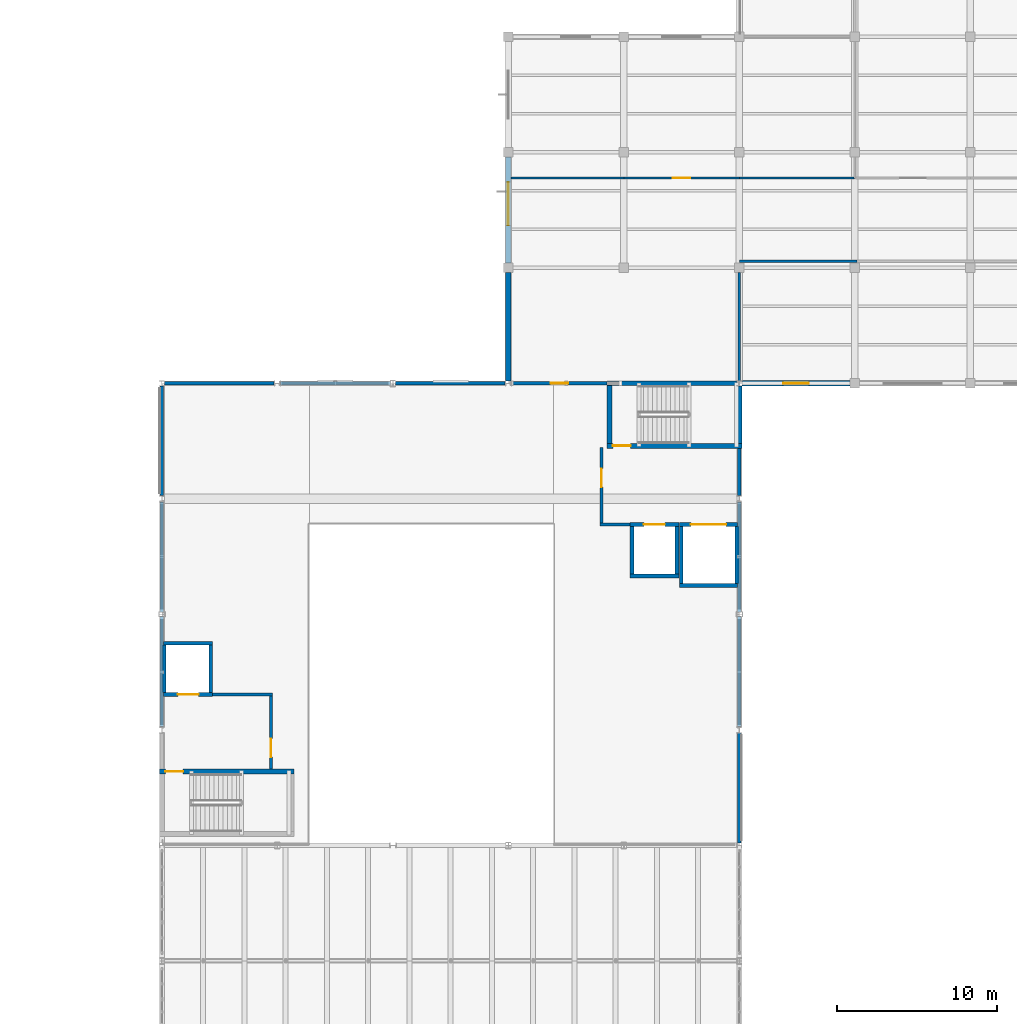
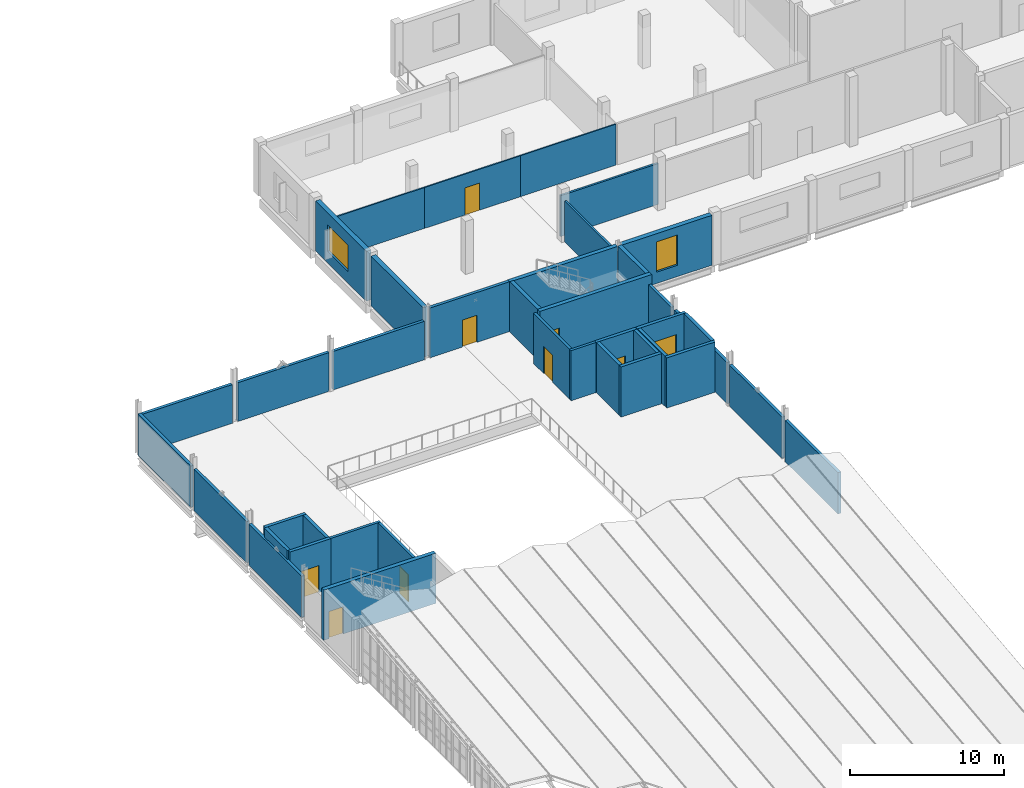
# One storey, part 41 of 48: 40 walls, 9 doors, 2 windows, 11 openings.
"""IFC4 building model written with IfcOpenShell, lengths in metres."""

import ifcopenshell
import ifcopenshell.guid

model = None  # the IFC model being written
_history = None  # IfcOwnerHistory: only IFC2X3 demands one
_inside = {}  # id of a spatial element -> (the spatial element, [elements in it])
_under = {}  # id of a project, library or spatial element -> (it, [spatial elements below it])
_declared = {}  # id of a project -> (the project, [libraries it declares])
_typed = {}  # id of a type object -> (the type object, [elements of that type])
_made_of = {}  # id of a material, layer set ... -> (it, [elements and type objects made of it])


def new_model(schema):
    """Start an empty IFC model of exactly this schema.

    Asked for "IFC4X3", IfcOpenShell would pick the latest addendum, in which some entities
    have other attributes; the version numbers below select the first issue.
    IFC2X3 requires an IfcOwnerHistory on every rooted entity: one is made here for all.
    """
    global model, _history
    if schema == "IFC4X3":
        model = ifcopenshell.file(schema_version=(4, 3, 0, 0))
    else:
        model = ifcopenshell.file(schema=schema)
    _inside.clear()
    _under.clear()
    _declared.clear()
    _typed.clear()
    _made_of.clear()
    _history = None
    if model.schema == "IFC2X3":
        org = make("IfcOrganization", Name="unknown")
        user = make(
            "IfcPersonAndOrganization",
            ThePerson=make("IfcPerson", FamilyName="unknown"),
            TheOrganization=org,
        )
        app = make(
            "IfcApplication",
            ApplicationDeveloper=org,
            Version="unknown",
            ApplicationFullName="unknown",
            ApplicationIdentifier="unknown",
        )
        _history = make(
            "IfcOwnerHistory",
            OwningUser=user,
            OwningApplication=app,
            ChangeAction="ADDED",
            CreationDate=0,
        )
    return model


def make(cls, **values):
    """One entity of the class cls with the attributes given. An attribute that is None is left unset."""
    return model.create_entity(
        cls, **{name: value for name, value in values.items() if value is not None}
    )


def rooted(cls, **values):
    """An entity with a GlobalId (a new one), such as an element, a storey or a relation."""
    return make(cls, GlobalId=ifcopenshell.guid.new(), OwnerHistory=_history, **values)


def si_unit(unit_type, name, prefix=None):
    """IfcSIUnit, for example si_unit("LENGTHUNIT", "METRE", prefix="MILLI")."""
    return make("IfcSIUnit", UnitType=unit_type, Prefix=prefix, Name=name)


def assignment(units):
    """IfcUnitAssignment: the units of a project."""
    return None if units is None else make("IfcUnitAssignment", Units=units)


def point(xyz):
    """IfcCartesianPoint."""
    return None if xyz is None else make("IfcCartesianPoint", Coordinates=xyz)


def direction(xyz):
    """IfcDirection."""
    return None if xyz is None else make("IfcDirection", DirectionRatios=xyz)


def frame(location, z_axis=None, x_axis=None):
    """IfcAxis2Placement3D, a coordinate frame: its origin and axes. An axis left out is left unset."""
    return make(
        "IfcAxis2Placement3D",
        Location=point(location),
        Axis=direction(z_axis),
        RefDirection=direction(x_axis),
    )


def frame_2d(location, x_axis=None):
    """IfcAxis2Placement2D, a coordinate frame in the plane: its origin and x axis."""
    return make(
        "IfcAxis2Placement2D", Location=point(location), RefDirection=direction(x_axis)
    )


def origin():
    """The frame at (0, 0, 0) with its axes left unset."""
    return frame((0.0, 0.0, 0.0))


def place(relative_to, where):
    """IfcLocalPlacement: puts the frame where relative to a parent placement (None: the world)."""
    return make(
        "IfcLocalPlacement", PlacementRelTo=relative_to, RelativePlacement=where
    )


def context(
    kind, dimensions, precision=None, world=None, true_north=None, identifier=None
):
    """IfcGeometricRepresentationContext, for example the 3D "Model" context."""
    return make(
        "IfcGeometricRepresentationContext",
        ContextIdentifier=identifier,
        ContextType=kind,
        CoordinateSpaceDimension=dimensions,
        Precision=precision,
        WorldCoordinateSystem=world,
        TrueNorth=true_north,
    )


def subcontext(parent, identifier, kind, view, scale=None):
    """IfcGeometricRepresentationSubContext, for example "Body" below "Model"."""
    return make(
        "IfcGeometricRepresentationSubContext",
        ContextIdentifier=identifier,
        ContextType=kind,
        ParentContext=parent,
        TargetScale=scale,
        TargetView=view,
    )


def project(units=None, contexts=None):
    """IfcProject with its units and contexts."""
    return rooted(
        "IfcProject",
        Name="project",
        RepresentationContexts=contexts,
        UnitsInContext=assignment(units),
    )


def spatial(cls, under=None, at=None, **own):
    """A site, building, storey or space (cls), placed at a placement, below another one or the project."""
    s = rooted(cls, ObjectPlacement=at, **own)
    if under is not None:
        _under.setdefault(under.id(), (under, []))[1].append(s)
    return s


def profile(cls, at=None, kind="AREA", **sizes):
    """A parametric profile (cls). Its sizes go by their IFC names, for example OverallWidth=200.0."""
    return make(cls, ProfileType=kind, Position=at, **sizes)


def rectangle(**sizes):
    """IfcRectangleProfileDef."""
    return profile("IfcRectangleProfileDef", **sizes)


def extrude(swept, where, along, depth):
    """IfcExtrudedAreaSolid: the profile swept, set in the frame where, extruded along a direction by depth."""
    return make(
        "IfcExtrudedAreaSolid",
        SweptArea=swept,
        Position=where,
        ExtrudedDirection=direction(along),
        Depth=depth,
    )


def shape(context_of_items, identifier, shape_type, items):
    """IfcShapeRepresentation: the items that make up one representation, for example the "Body"."""
    return make(
        "IfcShapeRepresentation",
        ContextOfItems=context_of_items,
        RepresentationIdentifier=identifier,
        RepresentationType=shape_type,
        Items=items,
    )


def material(Name=None, Category=None):
    """IfcMaterial."""
    return make("IfcMaterial", Name=Name, Category=Category)


def layer(
    of_material, thickness, ventilated=None, Name=None, Category=None, Priority=None
):
    """IfcMaterialLayer: one layer of a wall or slab, of a material (None: an air gap)."""
    return make(
        "IfcMaterialLayer",
        Material=of_material,
        LayerThickness=thickness,
        IsVentilated=ventilated,
        Name=Name,
        Category=Category,
        Priority=Priority,
    )


def layer_set(layers, Name=None):
    """IfcMaterialLayerSet."""
    return make("IfcMaterialLayerSet", MaterialLayers=layers, LayerSetName=Name)


def made_of(thing, what):
    """Note that an element or type object is made of a material, layer set ...; save() writes the relation."""
    if what is not None:
        _made_of.setdefault(what.id(), (what, []))[1].append(thing)
    return thing


def type_object(cls, material=None, **own):
    """A type object (cls), such as IfcWallType, which elements share."""
    return made_of(rooted(cls, **own), material)


def element(
    cls,
    number,
    at=None,
    inside=None,
    cuts=None,
    type_object=None,
    material=None,
    context=None,
    identifier="Body",
    shape_type=None,
    held_by="IfcProductDefinitionShape",
    body=None,
    shapes=None,
    **own,
):
    """One element of the class cls, such as IfcWall. Its Tag is "e" and its number.

    at: its placement. inside: the storey or other place that contains it. cuts: it is an
    opening in that element (IfcRelVoidsElement). A single representation is given by context,
    identifier, shape_type and body (its items); several are given by shapes. held_by: the class
    of the entity that holds the representations. save() writes the other relations.
    """
    e = rooted(cls, Tag="e%d" % number, ObjectPlacement=at, **own)
    if body is not None:
        shapes = [shape(context, identifier, shape_type, body)]
    if shapes is not None:
        e.Representation = make(held_by, Representations=shapes)
    if inside is not None:
        _inside.setdefault(inside.id(), (inside, []))[1].append(e)
    if cuts is not None:
        rooted(
            "IfcRelVoidsElement", RelatingBuildingElement=cuts, RelatedOpeningElement=e
        )
    if type_object is not None:
        _typed.setdefault(type_object.id(), (type_object, []))[1].append(e)
    return made_of(e, material)


def fill(opening, filler):
    """IfcRelFillsElement: the door or window that sits in an opening."""
    return rooted(
        "IfcRelFillsElement",
        RelatingOpeningElement=opening,
        RelatedBuildingElement=filler,
    )


def aggregate(whole, parts):
    """IfcRelAggregates: a whole, such as a stair, and the parts it consists of."""
    return rooted("IfcRelAggregates", RelatingObject=whole, RelatedObjects=parts)


def save(model, path):
    """Write the relations noted so far, then the file.

    IfcRelAggregates (storeys below a building ...), IfcRelContainedInSpatialStructure (elements
    in a storey), IfcRelDefinesByType, IfcRelAssociatesMaterial and IfcRelDeclares: one each for
    every whole, place, type object, material and project.
    """
    for whole, parts in _under.values():
        aggregate(whole, parts)
    for where, things in _inside.values():
        rooted(
            "IfcRelContainedInSpatialStructure",
            RelatedElements=things,
            RelatingStructure=where,
        )
    for kind, things in _typed.values():
        rooted("IfcRelDefinesByType", RelatedObjects=things, RelatingType=kind)
    for what, things in _made_of.values():
        rooted("IfcRelAssociatesMaterial", RelatedObjects=things, RelatingMaterial=what)
    for by, libraries in _declared.values():
        rooted("IfcRelDeclares", RelatingContext=by, RelatedDefinitions=libraries)
    model.write(path)


model = new_model("IFC4")

# Units and contexts
model_context = context("Model", 3, precision=1e-05, world=origin(), true_north=direction((0.0, 1.0)))
body_context = subcontext(model_context, "Body", "Model", "MODEL_VIEW")
ifc_project = project(units=[si_unit("LENGTHUNIT", "METRE"), si_unit("AREAUNIT", "SQUARE_METRE"), si_unit("VOLUMEUNIT", "CUBIC_METRE"), si_unit("PLANEANGLEUNIT", "RADIAN"), si_unit("MASSUNIT", "GRAM", prefix="KILO"), si_unit("THERMODYNAMICTEMPERATUREUNIT", "KELVIN"), si_unit("POWERUNIT", "WATT")], contexts=[model_context])

# Site, building, storey
site_placement = place(None, origin())
site = spatial("IfcSite", under=ifc_project, at=site_placement, CompositionType="ELEMENT")
building_placement = place(site_placement, origin())
building = spatial("IfcBuilding", under=site, at=building_placement, Name="Kaldorven Railside Theatre", CompositionType="ELEMENT")
storey_placement = place(building_placement, frame((0.0, 0.0, 18.89990234375)))
storey = spatial("IfcBuildingStorey", under=building, at=storey_placement, Name="L04", CompositionType="ELEMENT", Elevation=18.89990234375)

# Wall
ifc_material_1 = material(Name="Precast concrete C40/50", Category="concrete")
ifc_layer_1 = layer(ifc_material_1, 0.35009765625, Name="Precast concrete C40/50")
ifc_layer_set_1 = layer_set([ifc_layer_1], Name="Precast concrete C40/50")
wall_type_1 = type_object("IfcWallType", Name="WL-EW03", PredefinedType="SOLIDWALL", material=ifc_layer_set_1)
wall_1_placement = place(storey_placement, frame((108.800048828125, 112.949951171875, 0.0), z_axis=(0.0, 0.0, 1.0), x_axis=(0.0, 1.0, 0.0)))
element("IfcWall", 1, at=wall_1_placement, inside=storey, type_object=wall_type_1, Name="V6L L04 Exterior Wall EW-0361", PredefinedType="SOLIDWALL", context=body_context, shape_type="SweptSolid", body=[
    extrude(rectangle(XDim=6.75, YDim=0.35009765625, at=frame_2d((3.375, 0.0))), origin(), (0.0, 0.0, 1.0), 3.9501953125),
])

# Wall, opening, window
wall_2_placement = place(storey_placement, frame((108.800048828125, 120.300048828125, 0.0), z_axis=(0.0, 0.0, 1.0), x_axis=(0.0, 1.0, 0.0)))
wall_2 = element("IfcWall", 2, at=wall_2_placement, inside=storey, type_object=wall_type_1, Name="V6L L04 Exterior Wall EW-0362", PredefinedType="SOLIDWALL", context=body_context, shape_type="SweptSolid", body=[
    extrude(rectangle(XDim=6.599853515625, YDim=0.35009765625, at=frame_2d((3.2998046875, 0.0))), origin(), (0.0, 0.0, 1.0), 3.9501953125),
])
opening_1_placement = place(wall_2_placement, frame((2.35009765625, 0.0, 0.89990234375)))
opening_1 = element("IfcOpeningElement", 3, at=opening_1_placement, cuts=wall_2, Name="Opening WN-062", PredefinedType="OPENING", context=body_context, shape_type="SweptSolid", body=[
    extrude(rectangle(XDim=2.699951171875, YDim=2.10009765625, at=frame_2d((1.35009765625, 1.050048828125))), frame((0.0, 0.18505859375, 0.0), z_axis=(0.0, -1.0, 0.0), x_axis=(1.0, 0.0, 0.0)), (0.0, 0.0, 1.0), 0.3701171875),
])
ifc_material_2 = material(Name="Low-E laminated solar-control glass", Category="glass")
window_type_1 = type_object("IfcWindowType", Name="WN-EW12", PartitioningType="SINGLE_PANEL", PredefinedType="WINDOW", material=ifc_material_2)
window_1_placement = place(opening_1_placement, origin())
window_1 = element("IfcWindow", 4, at=window_1_placement, inside=storey, type_object=window_type_1, Name="Shaded Acoustic Exterior Window WN-062", OverallHeight=2.10009765625, OverallWidth=2.699951171875, PartitioningType="SINGLE_PANEL", PredefinedType="WINDOW", context=body_context, shape_type="SweptSolid", body=[
    extrude(rectangle(XDim=2.699951171875, YDim=2.10009765625, at=frame_2d((1.35009765625, 1.050048828125))), frame((0.0, 0.030029296875, 0.0), z_axis=(0.0, -1.0, 0.0), x_axis=(1.0, 0.0, 0.0)), (0.0, 0.0, 1.0), 0.06005859375),
])
fill(opening_1, window_1)

wall_3_placement = place(storey_placement, frame((130.10009765625, 112.800048828125, 0.0), z_axis=(0.0, 0.0, 1.0), x_axis=(-1.0, 0.0, 0.0)))
wall_3 = element("IfcWall", 5, at=wall_3_placement, inside=storey, type_object=wall_type_1, Name="V6 L04 Exterior Wall EW-0451", PredefinedType="SOLIDWALL", context=body_context, shape_type="SweptSolid", body=[
    extrude(rectangle(XDim=6.74560546875, YDim=0.35009765625, at=frame_2d((3.372802734375, 0.0))), origin(), (0.0, 0.0, 1.0), 3.9501953125),
])
opening_2_placement = place(wall_3_placement, frame((2.57275390625, 0.0, 0.89990234375)))
opening_2 = element("IfcOpeningElement", 6, at=opening_2_placement, cuts=wall_3, Name="Opening WN-118", PredefinedType="OPENING", context=body_context, shape_type="SweptSolid", body=[
    extrude(rectangle(XDim=1.60009765625, YDim=2.39990234375, at=frame_2d((0.800048828125, 1.199951171875))), frame((0.0, 0.18505859375, 0.0), z_axis=(0.0, -1.0, 0.0), x_axis=(1.0, 0.0, 0.0)), (0.0, 0.0, 1.0), 0.3701171875),
])
window_type_2 = type_object("IfcWindowType", Name="WN-EW18", PartitioningType="SINGLE_PANEL", PredefinedType="WINDOW", material=ifc_material_2)
window_2_placement = place(opening_2_placement, origin())
window_2 = element("IfcWindow", 7, at=window_2_placement, inside=storey, type_object=window_type_2, Name="Shaded Acoustic Exterior Window WN-118", OverallHeight=2.39990234375, OverallWidth=1.60009765625, PartitioningType="SINGLE_PANEL", PredefinedType="WINDOW", context=body_context, shape_type="SweptSolid", body=[
    extrude(rectangle(XDim=1.60009765625, YDim=2.39990234375, at=frame_2d((0.800048828125, 1.199951171875))), frame((0.0, 0.030029296875, 0.0), z_axis=(0.0, -1.0, 0.0), x_axis=(1.0, 0.0, 0.0)), (0.0, 0.0, 1.0), 0.06005859375),
])
fill(opening_2, window_2)

# Walls
ifc_layer_2 = layer(ifc_material_1, 0.219970703125, Name="Precast concrete C40/50")
ifc_layer_set_2 = layer_set([ifc_layer_2], Name="Precast concrete C40/50")
wall_type_2 = type_object("IfcWallType", Name="WL-EW07", PredefinedType="SOLIDWALL", material=ifc_layer_set_2)
wall_4_placement = place(storey_placement, frame((87.199951171875, 91.39990234375, 0.0), z_axis=(0.0, 0.0, 1.0), x_axis=(0.0, 1.0, 0.0)))
element("IfcWall", 8, at=wall_4_placement, inside=storey, type_object=wall_type_2, Name="V2 L04 Exterior Wall EW-0318", PredefinedType="SOLIDWALL", context=body_context, shape_type="SweptSolid", body=[
    extrude(rectangle(XDim=6.85009765625, YDim=0.219970703125, at=frame_2d((3.425048828125, 0.0))), origin(), (0.0, 0.0, 1.0), 3.275146484375),
])
wall_5_placement = place(storey_placement, frame((87.199951171875, 98.550048828125, 0.0), z_axis=(0.0, 0.0, 1.0), x_axis=(0.0, 1.0, 0.0)))
element("IfcWall", 9, at=wall_5_placement, inside=storey, type_object=wall_type_2, Name="V2 L04 Exterior Wall EW-0319", PredefinedType="SOLIDWALL", context=body_context, shape_type="SweptSolid", body=[
    extrude(rectangle(XDim=6.849853515625, YDim=0.219970703125, at=frame_2d((3.4248046875, 0.0))), origin(), (0.0, 0.0, 1.0), 3.275146484375),
])
wall_6_placement = place(storey_placement, frame((87.199951171875, 105.800048828125, 0.0), z_axis=(0.0, 0.0, 1.0), x_axis=(0.0, 1.0, 0.0)))
element("IfcWall", 10, at=wall_6_placement, inside=storey, type_object=wall_type_2, Name="V2 L04 Exterior Wall EW-0320", PredefinedType="SOLIDWALL", context=body_context, shape_type="SweptSolid", body=[
    extrude(rectangle(XDim=6.839599609375, YDim=0.219970703125, at=frame_2d((3.419921875, 0.0))), origin(), (0.0, 0.0, 1.0), 3.275146484375),
])
wall_7_placement = place(storey_placement, frame((87.3544921875, 112.800048828125, 0.0), z_axis=(0.0, 0.0, 1.0), x_axis=(1.0, 0.0, 0.0)))
element("IfcWall", 11, at=wall_7_placement, inside=storey, type_object=wall_type_2, Name="V2 L04 Exterior Wall EW-0321", PredefinedType="SOLIDWALL", context=body_context, shape_type="SweptSolid", body=[
    extrude(rectangle(XDim=6.845458984375, YDim=0.219970703125, at=frame_2d((3.4228515625, 0.0))), origin(), (0.0, 0.0, 1.0), 3.0751953125),
])
wall_8_placement = place(storey_placement, frame((94.60009765625, 112.800048828125, 0.0), z_axis=(0.0, 0.0, 1.0), x_axis=(1.0, 0.0, 0.0)))
element("IfcWall", 12, at=wall_8_placement, inside=storey, type_object=wall_type_2, Name="V2 L04 Exterior Wall EW-0322", PredefinedType="SOLIDWALL", context=body_context, shape_type="SweptSolid", body=[
    extrude(rectangle(XDim=6.849853515625, YDim=0.219970703125, at=frame_2d((3.4248046875, 0.0))), origin(), (0.0, 0.0, 1.0), 3.0751953125),
])
wall_9_placement = place(storey_placement, frame((101.75, 112.800048828125, 0.0), z_axis=(0.0, 0.0, 1.0), x_axis=(1.0, 0.0, 0.0)))
element("IfcWall", 13, at=wall_9_placement, inside=storey, type_object=wall_type_2, Name="V2 L04 Exterior Wall EW-0323", PredefinedType="SOLIDWALL", context=body_context, shape_type="SweptSolid", body=[
    extrude(rectangle(XDim=6.85009765625, YDim=0.219970703125, at=frame_2d((3.425048828125, 0.0))), origin(), (0.0, 0.0, 1.0), 3.045166015625),
])

# Wall, opening, door
wall_10_placement = place(storey_placement, frame((109.0, 112.800048828125, 0.0), z_axis=(0.0, 0.0, 1.0), x_axis=(1.0, 0.0, 0.0)))
wall_10 = element("IfcWall", 14, at=wall_10_placement, inside=storey, type_object=wall_type_2, Name="V2 L04 Exterior Wall EW-0324", PredefinedType="SOLIDWALL", context=body_context, shape_type="SweptSolid", body=[
    extrude(rectangle(XDim=5.949951171875, YDim=0.219970703125, at=frame_2d((2.97509765625, 0.0))), origin(), (0.0, 0.0, 1.0), 3.9501953125),
])
opening_3_placement = place(wall_10_placement, frame((2.425048828125, 0.0, 0.0)))
opening_3 = element("IfcOpeningElement", 15, at=opening_3_placement, cuts=wall_10, Name="Opening ID-0084", PredefinedType="OPENING", context=body_context, shape_type="SweptSolid", body=[
    extrude(rectangle(XDim=1.10009765625, YDim=2.14990234375, at=frame_2d((0.550048828125, 1.074951171875))), frame((0.0, 0.1201171875, 0.0), z_axis=(0.0, -1.0, 0.0), x_axis=(1.0, 0.0, 0.0)), (0.0, 0.0, 1.0), 0.239990234375),
])
ifc_material_3 = material(Name="Acoustic hardwood timber", Category="wood")
door_type_1 = type_object("IfcDoorType", Name="DR-ID-FD60", OperationType="NOTDEFINED", PredefinedType="DOOR", material=ifc_material_3)
door_1_placement = place(opening_3_placement, origin())
door_1 = element("IfcDoor", 16, at=door_1_placement, inside=storey, type_object=door_type_1, Name="L04 Stage-to-Backstage Corridor Door", OperationType="SINGLE_SWING_LEFT", OverallHeight=2.14990234375, OverallWidth=1.10009765625, PredefinedType="DOOR", context=body_context, shape_type="SweptSolid", body=[
    extrude(rectangle(XDim=1.10009765625, YDim=2.14990234375, at=frame_2d((0.550048828125, 1.074951171875))), frame((0.0, 0.02490234375, 0.0), z_axis=(0.0, -1.0, 0.0), x_axis=(1.0, 0.0, 0.0)), (0.0, 0.0, 1.0), 0.050048828125),
])
fill(opening_3, door_1)

# Walls
wall_11_placement = place(storey_placement, frame((123.199951171875, 108.75, 0.0), z_axis=(0.0, 0.0, 1.0), x_axis=(0.0, -1.0, 0.0)))
element("IfcWall", 17, at=wall_11_placement, inside=storey, type_object=wall_type_2, Name="V2 L04 Exterior Wall EW-0325", PredefinedType="SOLIDWALL", context=body_context, shape_type="SweptSolid", body=[
    extrude(rectangle(XDim=2.949951171875, YDim=0.219970703125, at=frame_2d((1.47509765625, 0.0))), origin(), (0.0, 0.0, 1.0), 3.2451171875),
])
wall_12_placement = place(storey_placement, frame((123.199951171875, 105.39990234375, 0.0), z_axis=(0.0, 0.0, 1.0), x_axis=(0.0, -1.0, 0.0)))
element("IfcWall", 18, at=wall_12_placement, inside=storey, type_object=wall_type_2, Name="V2 L04 Exterior Wall EW-0326", PredefinedType="SOLIDWALL", context=body_context, shape_type="SweptSolid", body=[
    extrude(rectangle(XDim=6.849853515625, YDim=0.219970703125, at=frame_2d((3.4248046875, 0.0))), origin(), (0.0, 0.0, 1.0), 3.275146484375),
])
wall_13_placement = place(storey_placement, frame((123.199951171875, 98.25, 0.0), z_axis=(0.0, 0.0, 1.0), x_axis=(0.0, -1.0, 0.0)))
element("IfcWall", 19, at=wall_13_placement, inside=storey, type_object=wall_type_2, Name="V2 L04 Exterior Wall EW-0327", PredefinedType="SOLIDWALL", context=body_context, shape_type="SweptSolid", body=[
    extrude(rectangle(XDim=6.85009765625, YDim=0.219970703125, at=frame_2d((3.425048828125, 0.0))), origin(), (0.0, 0.0, 1.0), 3.275146484375),
])
wall_14_placement = place(storey_placement, frame((123.199951171875, 91.0, 0.0), z_axis=(0.0, 0.0, 1.0), x_axis=(0.0, -1.0, 0.0)))
element("IfcWall", 20, at=wall_14_placement, inside=storey, type_object=wall_type_2, Name="V2 L04 Exterior Wall EW-0328", PredefinedType="SOLIDWALL", context=body_context, shape_type="SweptSolid", body=[
    extrude(rectangle(XDim=6.845458984375, YDim=0.219970703125, at=frame_2d((3.4228515625, 0.0))), origin(), (0.0, 0.0, 1.0), 3.275146484375),
])
ifc_material_4 = material(Name="Acoustic gypsum board")
ifc_layer_3 = layer(ifc_material_4, 0.14990234375, Name="Acoustic gypsum board")
ifc_layer_set_3 = layer_set([ifc_layer_3], Name="Acoustic gypsum board")
wall_type_3 = type_object("IfcWallType", Name="WL-IW-AC1", PredefinedType="PARTITIONING", material=ifc_layer_set_3)
wall_15_placement = place(storey_placement, frame((130.52490234375, 120.39990234375, 0.0), z_axis=(0.0, 0.0, 1.0), x_axis=(-1.0, 0.0, 0.0)))
element("IfcWall", 21, at=wall_15_placement, inside=storey, type_object=wall_type_3, Name="L04 Interior Wall IW-0690", PredefinedType="PARTITIONING", context=body_context, shape_type="SweptSolid", body=[
    extrude(rectangle(XDim=7.324951171875, YDim=0.14990234375, at=frame_2d((3.66259765625, 0.0))), origin(), (0.0, 0.0, 1.0), 3.2451171875),
])
wall_16_placement = place(storey_placement, frame((123.199951171875, 119.699951171875, 0.0), z_axis=(0.0, 0.0, 1.0), x_axis=(0.0, -1.0, 0.0)))
element("IfcWall", 22, at=wall_16_placement, inside=storey, type_object=wall_type_3, Name="L04 Interior Wall IW-0691", PredefinedType="PARTITIONING", context=body_context, shape_type="SweptSolid", body=[
    extrude(rectangle(XDim=6.73974609375, YDim=0.14990234375, at=frame_2d((3.369873046875, 0.0))), origin(), (0.0, 0.0, 1.0), 3.2451171875),
])

# Wall, opening, door
ifc_material_5 = material(Name="Concrete C40/50", Category="concrete")
ifc_layer_4 = layer(ifc_material_5, 0.300048828125, Name="Concrete C40/50")
ifc_layer_set_4 = layer_set([ifc_layer_4], Name="Concrete C40/50")
wall_type_4 = type_object("IfcWallType", Name="WL-IW-CORE", PredefinedType="SHEAR", material=ifc_layer_set_4)
wall_17_placement = place(storey_placement, frame((87.050048828125, 88.60009765625, 0.0), z_axis=(0.0, 0.0, 1.0), x_axis=(1.0, 0.0, 0.0)))
wall_17 = element("IfcWall", 23, at=wall_17_placement, inside=storey, type_object=wall_type_4, Name="L04 Core Wall CW-0151", PredefinedType="SHEAR", context=body_context, shape_type="SweptSolid", body=[
    extrude(rectangle(XDim=8.39990234375, YDim=0.300048828125, at=frame_2d((4.199951171875, 0.0))), origin(), (0.0, 0.0, 1.0), 3.97998046875),
])
opening_4_placement = place(wall_17_placement, frame((0.3701171875, 0.0, 0.0)))
opening_4 = element("IfcOpeningElement", 24, at=opening_4_placement, cuts=wall_17, Name="Opening ID-0023", PredefinedType="OPENING", context=body_context, shape_type="SweptSolid", body=[
    extrude(rectangle(XDim=1.10009765625, YDim=2.14990234375, at=frame_2d((0.550048828125, 1.074951171875))), frame((0.0, 0.16015625, 0.0), z_axis=(0.0, -1.0, 0.0), x_axis=(1.0, 0.0, 0.0)), (0.0, 0.0, 1.0), 0.320068359375),
])
door_2_placement = place(opening_4_placement, origin())
door_2 = element("IfcDoor", 25, at=door_2_placement, inside=storey, type_object=door_type_1, Name="Stair ST-05 Fire Door", OperationType="SINGLE_SWING_LEFT", OverallHeight=2.14990234375, OverallWidth=1.10009765625, PredefinedType="DOOR", context=body_context, shape_type="SweptSolid", body=[
    extrude(rectangle(XDim=1.10009765625, YDim=2.14990234375, at=frame_2d((0.550048828125, 1.074951171875))), frame((0.0, 0.02490234375, 0.0), z_axis=(0.0, -1.0, 0.0), x_axis=(1.0, 0.0, 0.0)), (0.0, 0.0, 1.0), 0.050048828125),
])
fill(opening_4, door_2)

wall_18_placement = place(storey_placement, frame((123.35009765625, 108.89990234375, 0.0), z_axis=(0.0, 0.0, 1.0), x_axis=(-1.0, 0.0, 0.0)))
wall_18 = element("IfcWall", 26, at=wall_18_placement, inside=storey, type_object=wall_type_4, Name="L04 Core Wall CW-0217", PredefinedType="SHEAR", context=body_context, shape_type="SweptSolid", body=[
    extrude(rectangle(XDim=8.400146484375, YDim=0.300048828125, at=frame_2d((4.2001953125, 0.0))), origin(), (0.0, 0.0, 1.0), 3.97998046875),
])
opening_5_placement = place(wall_18_placement, frame((6.929931640625, 0.0, 0.0)))
opening_5 = element("IfcOpeningElement", 27, at=opening_5_placement, cuts=wall_18, Name="Opening ID-0037", PredefinedType="OPENING", context=body_context, shape_type="SweptSolid", body=[
    extrude(rectangle(XDim=1.10009765625, YDim=2.14990234375, at=frame_2d((0.550048828125, 1.074951171875))), frame((0.0, 0.16015625, 0.0), z_axis=(0.0, -1.0, 0.0), x_axis=(1.0, 0.0, 0.0)), (0.0, 0.0, 1.0), 0.320068359375),
])
door_3_placement = place(opening_5_placement, origin())
door_3 = element("IfcDoor", 28, at=door_3_placement, inside=storey, type_object=door_type_1, Name="Stair ST-06 Fire Door", OperationType="SINGLE_SWING_LEFT", OverallHeight=2.14990234375, OverallWidth=1.10009765625, PredefinedType="DOOR", context=body_context, shape_type="SweptSolid", body=[
    extrude(rectangle(XDim=1.10009765625, YDim=2.14990234375, at=frame_2d((0.550048828125, 1.074951171875))), frame((0.0, 0.02490234375, 0.0), z_axis=(0.0, -1.0, 0.0), x_axis=(1.0, 0.0, 0.0)), (0.0, 0.0, 1.0), 0.050048828125),
])
fill(opening_5, door_3)

# Walls
wall_19_placement = place(storey_placement, frame((115.10009765625, 109.052001953125, 0.0), z_axis=(0.0, 0.0, 1.0), x_axis=(0.0, 1.0, 0.0)))
element("IfcWall", 29, at=wall_19_placement, inside=storey, type_object=wall_type_4, Name="L04 Core Wall CW-0218", PredefinedType="SHEAR", context=body_context, shape_type="SweptSolid", body=[
    extrude(rectangle(XDim=3.597900390625, YDim=0.300048828125, at=frame_2d((1.798828125, 0.0))), origin(), (0.0, 0.0, 1.0), 3.97998046875),
])
wall_20_placement = place(storey_placement, frame((114.949951171875, 112.800048828125, 0.0), z_axis=(0.0, 0.0, 1.0), x_axis=(1.0, 0.0, 0.0)))
element("IfcWall", 30, at=wall_20_placement, inside=storey, type_object=wall_type_4, Name="L04 Core Wall CW-0219", PredefinedType="SHEAR", context=body_context, shape_type="SweptSolid", body=[
    extrude(rectangle(XDim=8.095458984375, YDim=0.300048828125, at=frame_2d((4.0478515625, 0.0))), origin(), (0.0, 0.0, 1.0), 3.9501953125),
])
wall_21_placement = place(storey_placement, frame((123.199951171875, 112.6396484375, 0.0), z_axis=(0.0, 0.0, 1.0), x_axis=(0.0, -1.0, 0.0)))
element("IfcWall", 31, at=wall_21_placement, inside=storey, type_object=wall_type_4, Name="L04 Core Wall CW-0220", PredefinedType="SHEAR", context=body_context, shape_type="SweptSolid", body=[
    extrude(rectangle(XDim=3.587646484375, YDim=0.300048828125, at=frame_2d((1.7939453125, 0.0))), origin(), (0.0, 0.0, 1.0), 3.97998046875),
])
ifc_material_6 = material(Name="Concrete C35/45", Category="concrete")
ifc_layer_5 = layer(ifc_material_6, 0.199951171875, Name="Concrete C35/45")
ifc_layer_set_5 = layer_set([ifc_layer_5], Name="Concrete C35/45")
wall_type_5 = type_object("IfcWallType", Name="WL-IW-FF", PredefinedType="PARTITIONING", material=ifc_layer_set_5)
wall_22_placement = place(storey_placement, frame((90.3701171875, 93.39990234375, 0.0), z_axis=(0.0, 0.0, 1.0), x_axis=(1.0, 0.0, 0.0)))
element("IfcWall", 32, at=wall_22_placement, inside=storey, type_object=wall_type_5, Name="L04 Interior Wall FFW-0193", PredefinedType="PARTITIONING", context=body_context, shape_type="SweptSolid", body=[
    extrude(rectangle(XDim=3.72998046875, YDim=0.199951171875, at=frame_2d((1.864990234375, 0.0))), origin(), (0.0, 0.0, 1.0), 3.97998046875),
])

# Wall, opening, door
wall_23_placement = place(storey_placement, frame((94.0, 93.298095703125, 0.0), z_axis=(0.0, 0.0, 1.0), x_axis=(0.0, -1.0, 0.0)))
wall_23 = element("IfcWall", 33, at=wall_23_placement, inside=storey, type_object=wall_type_5, Name="L04 Interior Wall FFW-0194", PredefinedType="PARTITIONING", context=body_context, shape_type="SweptSolid", body=[
    extrude(rectangle(XDim=4.546142578125, YDim=0.199951171875, at=frame_2d((2.27294921875, 0.0))), origin(), (0.0, 0.0, 1.0), 3.97998046875),
])
opening_6_placement = place(wall_23_placement, frame((2.64794921875, 0.0, 0.0)))
opening_6 = element("IfcOpeningElement", 34, at=opening_6_placement, cuts=wall_23, Name="Opening ID-0030", PredefinedType="OPENING", context=body_context, shape_type="SweptSolid", body=[
    extrude(rectangle(XDim=1.14990234375, YDim=2.14990234375, at=frame_2d((0.574951171875, 1.074951171875))), frame((0.0, 0.10986328125, 0.0), z_axis=(0.0, -1.0, 0.0), x_axis=(1.0, 0.0, 0.0)), (0.0, 0.0, 1.0), 0.219970703125),
])
ifc_material_7 = material(Name="Powder-coated hollow-metal steel", Category="steel")
door_type_2 = type_object("IfcDoorType", Name="DR-ID-FD120", OperationType="NOTDEFINED", PredefinedType="DOOR", material=ifc_material_7)
door_4_placement = place(opening_6_placement, origin())
door_4 = element("IfcDoor", 35, at=door_4_placement, inside=storey, type_object=door_type_2, Name="Firefighting Lobby C-STW Door", OperationType="SINGLE_SWING_RIGHT", OverallHeight=2.14990234375, OverallWidth=1.14990234375, PredefinedType="DOOR", context=body_context, shape_type="SweptSolid", body=[
    extrude(rectangle(XDim=1.14990234375, YDim=2.14990234375, at=frame_2d((0.574951171875, 1.074951171875))), frame((0.0, 0.02490234375, 0.0), z_axis=(0.0, -1.0, 0.0), x_axis=(1.0, 0.0, 0.0)), (0.0, 0.0, 1.0), 0.050048828125),
])
fill(opening_6, door_4)

# Wall
wall_24_placement = place(storey_placement, frame((116.3798828125, 104.0, 0.0), z_axis=(0.0, 0.0, 1.0), x_axis=(-1.0, 0.0, 0.0)))
element("IfcWall", 36, at=wall_24_placement, inside=storey, type_object=wall_type_5, Name="L04 Interior Wall FFW-0285", PredefinedType="PARTITIONING", context=body_context, shape_type="SweptSolid", body=[
    extrude(rectangle(XDim=1.8798828125, YDim=0.199951171875, at=frame_2d((0.93994140625, 0.0))), origin(), (0.0, 0.0, 1.0), 3.97998046875),
])

# Wall, opening, door
wall_25_placement = place(storey_placement, frame((114.60009765625, 104.10205078125, 0.0), z_axis=(0.0, 0.0, 1.0), x_axis=(0.0, 1.0, 0.0)))
wall_25 = element("IfcWall", 37, at=wall_25_placement, inside=storey, type_object=wall_type_5, Name="L04 Interior Wall FFW-0286", PredefinedType="PARTITIONING", context=body_context, shape_type="SweptSolid", body=[
    extrude(rectangle(XDim=4.697998046875, YDim=0.199951171875, at=frame_2d((2.34912109375, 0.0))), origin(), (0.0, 0.0, 1.0), 3.97998046875),
])
opening_7_placement = place(wall_25_placement, frame((2.22412109375, 0.0, 0.0)))
opening_7 = element("IfcOpeningElement", 38, at=opening_7_placement, cuts=wall_25, Name="Opening ID-0044", PredefinedType="OPENING", context=body_context, shape_type="SweptSolid", body=[
    extrude(rectangle(XDim=1.14990234375, YDim=2.14990234375, at=frame_2d((0.574951171875, 1.074951171875))), frame((0.0, 0.10986328125, 0.0), z_axis=(0.0, -1.0, 0.0), x_axis=(1.0, 0.0, 0.0)), (0.0, 0.0, 1.0), 0.219970703125),
])
door_5_placement = place(opening_7_placement, origin())
door_5 = element("IfcDoor", 39, at=door_5_placement, inside=storey, type_object=door_type_2, Name="Firefighting Lobby C-STE Door", OperationType="SINGLE_SWING_RIGHT", OverallHeight=2.14990234375, OverallWidth=1.14990234375, PredefinedType="DOOR", context=body_context, shape_type="SweptSolid", body=[
    extrude(rectangle(XDim=1.14990234375, YDim=2.14990234375, at=frame_2d((0.574951171875, 1.074951171875))), frame((0.0, 0.02490234375, 0.0), z_axis=(0.0, -1.0, 0.0), x_axis=(1.0, 0.0, 0.0)), (0.0, 0.0, 1.0), 0.050048828125),
])
fill(opening_7, door_5)

# Wall
ifc_material_8 = material(Name="Fire-rated acoustic gypsum board")
ifc_layer_6 = layer(ifc_material_8, 0.10009765625, Name="Fire-rated acoustic gypsum board")
ifc_layer_set_6 = layer_set([ifc_layer_6], Name="Fire-rated acoustic gypsum board")
wall_type_6 = type_object("IfcWallType", Name="WL-IW-PT2", PredefinedType="PARTITIONING", material=ifc_layer_set_6)
wall_26_placement = place(storey_placement, frame((108.97705078125, 125.60009765625, 0.0), z_axis=(0.0, 0.0, 1.0), x_axis=(1.0, 0.0, 0.0)))
element("IfcWall", 40, at=wall_26_placement, inside=storey, type_object=wall_type_6, Name="L04 Interior Wall IW-0667", PredefinedType="PARTITIONING", context=body_context, shape_type="SweptSolid", body=[
    extrude(rectangle(XDim=7.02294921875, YDim=0.10009765625, at=frame_2d((3.511474609375, 0.0))), origin(), (0.0, 0.0, 1.0), 3.2451171875),
])

# Wall, opening, door
wall_27_placement = place(storey_placement, frame((116.0, 125.60009765625, 0.0), z_axis=(0.0, 0.0, 1.0), x_axis=(1.0, 0.0, 0.0)))
wall_27 = element("IfcWall", 41, at=wall_27_placement, inside=storey, type_object=wall_type_6, Name="L04 Interior Wall IW-0668", PredefinedType="PARTITIONING", context=body_context, shape_type="SweptSolid", body=[
    extrude(rectangle(XDim=7.199951171875, YDim=0.10009765625, at=frame_2d((3.60009765625, 0.0))), origin(), (0.0, 0.0, 1.0), 3.2451171875),
])
opening_8_placement = place(wall_27_placement, frame((3.050048828125, 0.0, 0.0)))
opening_8 = element("IfcOpeningElement", 42, at=opening_8_placement, cuts=wall_27, Name="Opening ID-0152", PredefinedType="OPENING", context=body_context, shape_type="SweptSolid", body=[
    extrude(rectangle(XDim=1.10009765625, YDim=2.14990234375, at=frame_2d((0.550048828125, 1.074951171875))), frame((0.0, 0.06005859375, 0.0), z_axis=(0.0, -1.0, 0.0), x_axis=(1.0, 0.0, 0.0)), (0.0, 0.0, 1.0), 0.1201171875),
])
door_6_placement = place(opening_8_placement, origin())
door_6 = element("IfcDoor", 43, at=door_6_placement, inside=storey, type_object=door_type_1, Name="Technical Library Entry Door", OperationType="SINGLE_SWING_LEFT", OverallHeight=2.14990234375, OverallWidth=1.10009765625, PredefinedType="DOOR", context=body_context, shape_type="SweptSolid", body=[
    extrude(rectangle(XDim=1.10009765625, YDim=2.14990234375, at=frame_2d((0.550048828125, 1.074951171875))), frame((0.0, 0.02490234375, 0.0), z_axis=(0.0, -1.0, 0.0), x_axis=(1.0, 0.0, 0.0)), (0.0, 0.0, 1.0), 0.050048828125),
])
fill(opening_8, door_6)

# Wall
wall_28_placement = place(storey_placement, frame((123.199951171875, 125.60009765625, 0.0), z_axis=(0.0, 0.0, 1.0), x_axis=(1.0, 0.0, 0.0)))
element("IfcWall", 44, at=wall_28_placement, inside=storey, type_object=wall_type_6, Name="L04 Interior Wall IW-0669", PredefinedType="PARTITIONING", context=body_context, shape_type="SweptSolid", body=[
    extrude(rectangle(XDim=7.14794921875, YDim=0.10009765625, at=frame_2d((3.573974609375, 0.0))), origin(), (0.0, 0.0, 1.0), 3.2451171875),
])

# Wall, opening, door
ifc_layer_7 = layer(ifc_material_5, 0.239990234375, Name="Concrete C40/50")
ifc_layer_set_7 = layer_set([ifc_layer_7], Name="Concrete C40/50")
wall_type_7 = type_object("IfcWallType", Name="WL-IW-SHAFT", PredefinedType="SHEAR", material=ifc_layer_set_7)
wall_29_placement = place(storey_placement, frame((90.3701171875, 93.39990234375, 0.0), z_axis=(0.0, 0.0, 1.0), x_axis=(-1.0, 0.0, 0.0)))
wall_29 = element("IfcWall", 45, at=wall_29_placement, inside=storey, type_object=wall_type_7, Name="L04 Interior Wall SW-0175", PredefinedType="SHEAR", context=body_context, shape_type="SweptSolid", body=[
    extrude(rectangle(XDim=3.05810546875, YDim=0.239990234375, at=frame_2d((1.529052734375, 0.0))), origin(), (0.0, 0.0, 1.0), 3.97998046875),
])
opening_9_placement = place(wall_29_placement, frame((0.87890625, 0.0, 0.0)))
opening_9 = element("IfcOpeningElement", 46, at=opening_9_placement, cuts=wall_29, Name="Opening LD-021", PredefinedType="OPENING", context=body_context, shape_type="SweptSolid", body=[
    extrude(rectangle(XDim=1.300048828125, YDim=2.14990234375, at=frame_2d((0.64990234375, 1.074951171875))), frame((0.0, 0.1298828125, 0.0), z_axis=(0.0, -1.0, 0.0), x_axis=(1.0, 0.0, 0.0)), (0.0, 0.0, 1.0), 0.260009765625),
])
door_type_3 = type_object("IfcDoorType", Name="DR-LD-FF", OperationType="NOTDEFINED", PredefinedType="DOOR", material=ifc_material_7)
door_7_placement = place(opening_9_placement, origin())
door_7 = element("IfcDoor", 47, at=door_7_placement, inside=storey, type_object=door_type_3, Name="Lift LF-FF1 Sliding Landing Door", OperationType="DOUBLE_DOOR_SLIDING", OverallHeight=2.14990234375, OverallWidth=1.300048828125, PredefinedType="DOOR", context=body_context, shape_type="SweptSolid", body=[
    extrude(rectangle(XDim=1.300048828125, YDim=2.14990234375, at=frame_2d((0.64990234375, 1.074951171875))), frame((0.0, 0.02490234375, 0.0), z_axis=(0.0, -1.0, 0.0), x_axis=(1.0, 0.0, 0.0)), (0.0, 0.0, 1.0), 0.050048828125),
])
fill(opening_9, door_7)

# Walls
wall_30_placement = place(storey_placement, frame((87.35009765625, 93.52197265625, 0.0), z_axis=(0.0, 0.0, 1.0), x_axis=(0.0, 1.0, 0.0)))
element("IfcWall", 48, at=wall_30_placement, inside=storey, type_object=wall_type_7, Name="L04 Interior Wall SW-0176", PredefinedType="SHEAR", context=body_context, shape_type="SweptSolid", body=[
    extrude(rectangle(XDim=2.9580078125, YDim=0.239990234375, at=frame_2d((1.47900390625, 0.0))), origin(), (0.0, 0.0, 1.0), 3.97998046875),
])
wall_31_placement = place(storey_placement, frame((87.31201171875, 96.60009765625, 0.0), z_axis=(0.0, 0.0, 1.0), x_axis=(1.0, 0.0, 0.0)))
element("IfcWall", 49, at=wall_31_placement, inside=storey, type_object=wall_type_7, Name="L04 Interior Wall SW-0177", PredefinedType="SHEAR", context=body_context, shape_type="SweptSolid", body=[
    extrude(rectangle(XDim=3.05810546875, YDim=0.239990234375, at=frame_2d((1.529052734375, 0.0))), origin(), (0.0, 0.0, 1.0), 3.97998046875),
])
wall_32_placement = place(storey_placement, frame((90.25, 96.47802734375, 0.0), z_axis=(0.0, 0.0, 1.0), x_axis=(0.0, -1.0, 0.0)))
element("IfcWall", 50, at=wall_32_placement, inside=storey, type_object=wall_type_7, Name="L04 Interior Wall SW-0178", PredefinedType="SHEAR", context=body_context, shape_type="SweptSolid", body=[
    extrude(rectangle(XDim=2.9560546875, YDim=0.239990234375, at=frame_2d((1.47802734375, 0.0))), origin(), (0.0, 0.0, 1.0), 3.97998046875),
])
wall_33_placement = place(storey_placement, frame((119.419921875, 100.800048828125, 0.0), z_axis=(0.0, 0.0, 1.0), x_axis=(-1.0, 0.0, 0.0)))
element("IfcWall", 51, at=wall_33_placement, inside=storey, type_object=wall_type_7, Name="L04 Interior Wall SW-0245", PredefinedType="SHEAR", context=body_context, shape_type="SweptSolid", body=[
    extrude(rectangle(XDim=3.0400390625, YDim=0.239990234375, at=frame_2d((1.52001953125, 0.0))), origin(), (0.0, 0.0, 1.0), 3.97998046875),
])
wall_34_placement = place(storey_placement, frame((116.5, 100.922119140625, 0.0), z_axis=(0.0, 0.0, 1.0), x_axis=(0.0, 1.0, 0.0)))
element("IfcWall", 52, at=wall_34_placement, inside=storey, type_object=wall_type_7, Name="L04 Interior Wall SW-0246", PredefinedType="SHEAR", context=body_context, shape_type="SweptSolid", body=[
    extrude(rectangle(XDim=2.957763671875, YDim=0.239990234375, at=frame_2d((1.47900390625, 0.0))), origin(), (0.0, 0.0, 1.0), 3.97998046875),
])

# Wall, opening, door
wall_35_placement = place(storey_placement, frame((116.3798828125, 104.0, 0.0), z_axis=(0.0, 0.0, 1.0), x_axis=(1.0, 0.0, 0.0)))
wall_35 = element("IfcWall", 53, at=wall_35_placement, inside=storey, type_object=wall_type_7, Name="L04 Interior Wall SW-0247", PredefinedType="SHEAR", context=body_context, shape_type="SweptSolid", body=[
    extrude(rectangle(XDim=3.0400390625, YDim=0.239990234375, at=frame_2d((1.52001953125, 0.0))), origin(), (0.0, 0.0, 1.0), 3.97998046875),
])
opening_10_placement = place(wall_35_placement, frame((0.8701171875, 0.0, 0.0)))
opening_10 = element("IfcOpeningElement", 54, at=opening_10_placement, cuts=wall_35, Name="Opening LD-028", PredefinedType="OPENING", context=body_context, shape_type="SweptSolid", body=[
    extrude(rectangle(XDim=1.300048828125, YDim=2.14990234375, at=frame_2d((0.64990234375, 1.074951171875))), frame((0.0, 0.1298828125, 0.0), z_axis=(0.0, -1.0, 0.0), x_axis=(1.0, 0.0, 0.0)), (0.0, 0.0, 1.0), 0.260009765625),
])
door_8_placement = place(opening_10_placement, origin())
door_8 = element("IfcDoor", 55, at=door_8_placement, inside=storey, type_object=door_type_3, Name="Lift LF-FF2 Sliding Landing Door", OperationType="DOUBLE_DOOR_SLIDING", OverallHeight=2.14990234375, OverallWidth=1.300048828125, PredefinedType="DOOR", context=body_context, shape_type="SweptSolid", body=[
    extrude(rectangle(XDim=1.300048828125, YDim=2.14990234375, at=frame_2d((0.64990234375, 1.074951171875))), frame((0.0, 0.02490234375, 0.0), z_axis=(0.0, -1.0, 0.0), x_axis=(1.0, 0.0, 0.0)), (0.0, 0.0, 1.0), 0.050048828125),
])
fill(opening_10, door_8)

# Walls
wall_36_placement = place(storey_placement, frame((119.300048828125, 103.8779296875, 0.0), z_axis=(0.0, 0.0, 1.0), x_axis=(0.0, -1.0, 0.0)))
element("IfcWall", 56, at=wall_36_placement, inside=storey, type_object=wall_type_7, Name="L04 Interior Wall SW-0248", PredefinedType="SHEAR", context=body_context, shape_type="SweptSolid", body=[
    extrude(rectangle(XDim=2.955810546875, YDim=0.239990234375, at=frame_2d((1.47802734375, 0.0))), origin(), (0.0, 0.0, 1.0), 3.97998046875),
])
wall_37_placement = place(storey_placement, frame((123.087890625, 100.199951171875, 0.0), z_axis=(0.0, 0.0, 1.0), x_axis=(-1.0, 0.0, 0.0)))
element("IfcWall", 57, at=wall_37_placement, inside=storey, type_object=wall_type_7, Name="L04 Interior Wall SW-0271", PredefinedType="SHEAR", context=body_context, shape_type="SweptSolid", body=[
    extrude(rectangle(XDim=3.6279296875, YDim=0.239990234375, at=frame_2d((1.81396484375, 0.0))), origin(), (0.0, 0.0, 1.0), 3.97998046875),
])
wall_38_placement = place(storey_placement, frame((119.580078125, 100.322021484375, 0.0), z_axis=(0.0, 0.0, 1.0), x_axis=(0.0, 1.0, 0.0)))
element("IfcWall", 58, at=wall_38_placement, inside=storey, type_object=wall_type_7, Name="L04 Interior Wall SW-0272", PredefinedType="SHEAR", context=body_context, shape_type="SweptSolid", body=[
    extrude(rectangle(XDim=3.557861328125, YDim=0.239990234375, at=frame_2d((1.77880859375, 0.0))), origin(), (0.0, 0.0, 1.0), 3.97998046875),
])

# Wall, opening, door
wall_39_placement = place(storey_placement, frame((119.4599609375, 104.0, 0.0), z_axis=(0.0, 0.0, 1.0), x_axis=(1.0, 0.0, 0.0)))
wall_39 = element("IfcWall", 59, at=wall_39_placement, inside=storey, type_object=wall_type_7, Name="L04 Interior Wall SW-0273", PredefinedType="SHEAR", context=body_context, shape_type="SweptSolid", body=[
    extrude(rectangle(XDim=3.6279296875, YDim=0.239990234375, at=frame_2d((1.81396484375, 0.0))), origin(), (0.0, 0.0, 1.0), 3.97998046875),
])
opening_11_placement = place(wall_39_placement, frame((0.714111328125, 0.0, 0.0)))
opening_11 = element("IfcOpeningElement", 60, at=opening_11_placement, cuts=wall_39, Name="Opening LD-035", PredefinedType="OPENING", context=body_context, shape_type="SweptSolid", body=[
    extrude(rectangle(XDim=2.199951171875, YDim=2.5, at=frame_2d((1.10009765625, 1.25))), frame((0.0, 0.1298828125, 0.0), z_axis=(0.0, -1.0, 0.0), x_axis=(1.0, 0.0, 0.0)), (0.0, 0.0, 1.0), 0.260009765625),
])
door_type_4 = type_object("IfcDoorType", Name="DR-LD-GOODS", OperationType="NOTDEFINED", PredefinedType="DOOR", material=ifc_material_7)
door_9_placement = place(opening_11_placement, origin())
door_9 = element("IfcDoor", 61, at=door_9_placement, inside=storey, type_object=door_type_4, Name="Lift LF-G1 Sliding Landing Door", OperationType="DOUBLE_DOOR_SLIDING", OverallHeight=2.5, OverallWidth=2.199951171875, PredefinedType="DOOR", context=body_context, shape_type="SweptSolid", body=[
    extrude(rectangle(XDim=2.199951171875, YDim=2.5, at=frame_2d((1.10009765625, 1.25))), frame((0.0, 0.02490234375, 0.0), z_axis=(0.0, -1.0, 0.0), x_axis=(1.0, 0.0, 0.0)), (0.0, 0.0, 1.0), 0.050048828125),
])
fill(opening_11, door_9)

# Wall
wall_40_placement = place(storey_placement, frame((123.050048828125, 103.8779296875, 0.0), z_axis=(0.0, 0.0, 1.0), x_axis=(0.0, -1.0, 0.0)))
element("IfcWall", 62, at=wall_40_placement, inside=storey, type_object=wall_type_7, Name="L04 Interior Wall SW-0274", PredefinedType="SHEAR", context=body_context, shape_type="SweptSolid", body=[
    extrude(rectangle(XDim=3.555908203125, YDim=0.239990234375, at=frame_2d((1.77783203125, 0.0))), origin(), (0.0, 0.0, 1.0), 3.97998046875),
])

save(model, "model.ifc")
